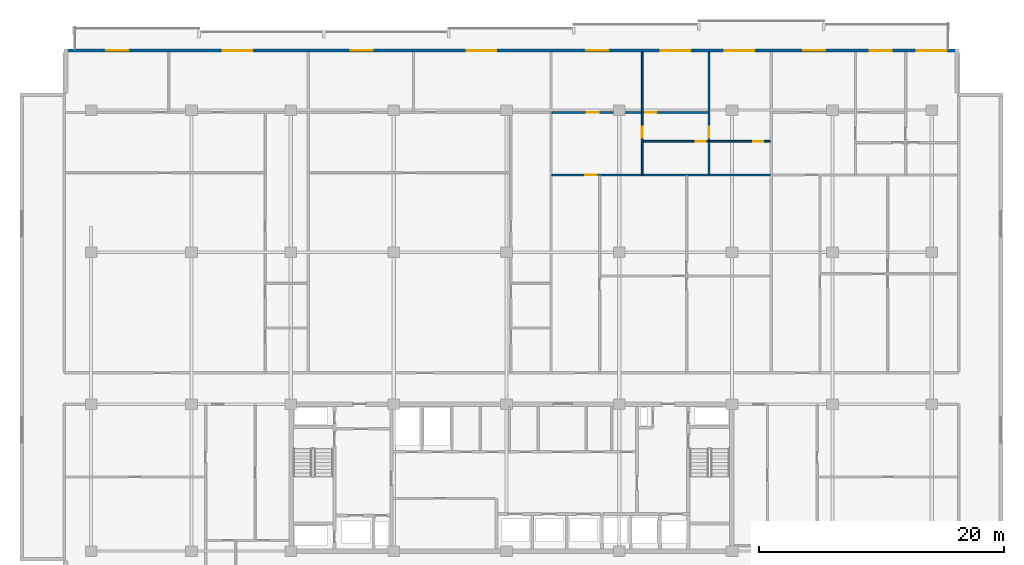
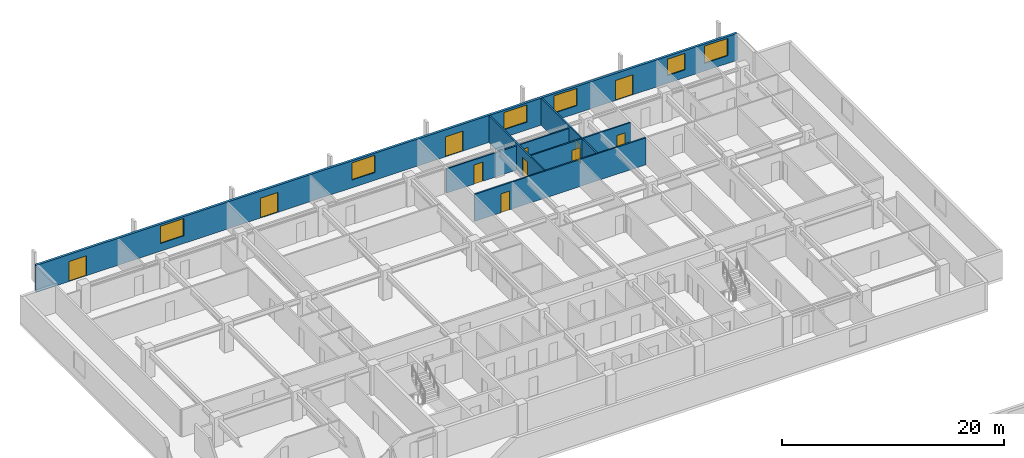
# One storey, part 14 of 21: 11 doors, 7 walls, 6 windows, 17 openings.
"""IFC4 building model written with IfcOpenShell, lengths in metres."""

import ifcopenshell
import ifcopenshell.guid

model = None  # the IFC model being written
_history = None  # IfcOwnerHistory: only IFC2X3 demands one
_inside = {}  # id of a spatial element -> (the spatial element, [elements in it])
_under = {}  # id of a project, library or spatial element -> (it, [spatial elements below it])
_declared = {}  # id of a project -> (the project, [libraries it declares])
_typed = {}  # id of a type object -> (the type object, [elements of that type])
_made_of = {}  # id of a material, layer set ... -> (it, [elements and type objects made of it])


def new_model(schema):
    """Start an empty IFC model of exactly this schema.

    Asked for "IFC4X3", IfcOpenShell would pick the latest addendum, in which some entities
    have other attributes; the version numbers below select the first issue.
    IFC2X3 requires an IfcOwnerHistory on every rooted entity: one is made here for all.
    """
    global model, _history
    if schema == "IFC4X3":
        model = ifcopenshell.file(schema_version=(4, 3, 0, 0))
    else:
        model = ifcopenshell.file(schema=schema)
    _inside.clear()
    _under.clear()
    _declared.clear()
    _typed.clear()
    _made_of.clear()
    _history = None
    if model.schema == "IFC2X3":
        org = make("IfcOrganization", Name="unknown")
        user = make(
            "IfcPersonAndOrganization",
            ThePerson=make("IfcPerson", FamilyName="unknown"),
            TheOrganization=org,
        )
        app = make(
            "IfcApplication",
            ApplicationDeveloper=org,
            Version="unknown",
            ApplicationFullName="unknown",
            ApplicationIdentifier="unknown",
        )
        _history = make(
            "IfcOwnerHistory",
            OwningUser=user,
            OwningApplication=app,
            ChangeAction="ADDED",
            CreationDate=0,
        )
    return model


def make(cls, **values):
    """One entity of the class cls with the attributes given. An attribute that is None is left unset."""
    return model.create_entity(
        cls, **{name: value for name, value in values.items() if value is not None}
    )


def rooted(cls, **values):
    """An entity with a GlobalId (a new one), such as an element, a storey or a relation."""
    return make(cls, GlobalId=ifcopenshell.guid.new(), OwnerHistory=_history, **values)


def si_unit(unit_type, name, prefix=None):
    """IfcSIUnit, for example si_unit("LENGTHUNIT", "METRE", prefix="MILLI")."""
    return make("IfcSIUnit", UnitType=unit_type, Prefix=prefix, Name=name)


def assignment(units):
    """IfcUnitAssignment: the units of a project."""
    return None if units is None else make("IfcUnitAssignment", Units=units)


def point(xyz):
    """IfcCartesianPoint."""
    return None if xyz is None else make("IfcCartesianPoint", Coordinates=xyz)


def direction(xyz):
    """IfcDirection."""
    return None if xyz is None else make("IfcDirection", DirectionRatios=xyz)


def frame(location, z_axis=None, x_axis=None):
    """IfcAxis2Placement3D, a coordinate frame: its origin and axes. An axis left out is left unset."""
    return make(
        "IfcAxis2Placement3D",
        Location=point(location),
        Axis=direction(z_axis),
        RefDirection=direction(x_axis),
    )


def frame_2d(location, x_axis=None):
    """IfcAxis2Placement2D, a coordinate frame in the plane: its origin and x axis."""
    return make(
        "IfcAxis2Placement2D", Location=point(location), RefDirection=direction(x_axis)
    )


def origin():
    """The frame at (0, 0, 0) with its axes left unset."""
    return frame((0.0, 0.0, 0.0))


def place(relative_to, where):
    """IfcLocalPlacement: puts the frame where relative to a parent placement (None: the world)."""
    return make(
        "IfcLocalPlacement", PlacementRelTo=relative_to, RelativePlacement=where
    )


def context(
    kind, dimensions, precision=None, world=None, true_north=None, identifier=None
):
    """IfcGeometricRepresentationContext, for example the 3D "Model" context."""
    return make(
        "IfcGeometricRepresentationContext",
        ContextIdentifier=identifier,
        ContextType=kind,
        CoordinateSpaceDimension=dimensions,
        Precision=precision,
        WorldCoordinateSystem=world,
        TrueNorth=true_north,
    )


def subcontext(parent, identifier, kind, view, scale=None):
    """IfcGeometricRepresentationSubContext, for example "Body" below "Model"."""
    return make(
        "IfcGeometricRepresentationSubContext",
        ContextIdentifier=identifier,
        ContextType=kind,
        ParentContext=parent,
        TargetScale=scale,
        TargetView=view,
    )


def project(units=None, contexts=None):
    """IfcProject with its units and contexts."""
    return rooted(
        "IfcProject",
        Name="project",
        RepresentationContexts=contexts,
        UnitsInContext=assignment(units),
    )


def spatial(cls, under=None, at=None, **own):
    """A site, building, storey or space (cls), placed at a placement, below another one or the project."""
    s = rooted(cls, ObjectPlacement=at, **own)
    if under is not None:
        _under.setdefault(under.id(), (under, []))[1].append(s)
    return s


def profile(cls, at=None, kind="AREA", **sizes):
    """A parametric profile (cls). Its sizes go by their IFC names, for example OverallWidth=200.0."""
    return make(cls, ProfileType=kind, Position=at, **sizes)


def rectangle(**sizes):
    """IfcRectangleProfileDef."""
    return profile("IfcRectangleProfileDef", **sizes)


def extrude(swept, where, along, depth):
    """IfcExtrudedAreaSolid: the profile swept, set in the frame where, extruded along a direction by depth."""
    return make(
        "IfcExtrudedAreaSolid",
        SweptArea=swept,
        Position=where,
        ExtrudedDirection=direction(along),
        Depth=depth,
    )


def shape(context_of_items, identifier, shape_type, items):
    """IfcShapeRepresentation: the items that make up one representation, for example the "Body"."""
    return make(
        "IfcShapeRepresentation",
        ContextOfItems=context_of_items,
        RepresentationIdentifier=identifier,
        RepresentationType=shape_type,
        Items=items,
    )


def material(Name=None, Category=None):
    """IfcMaterial."""
    return make("IfcMaterial", Name=Name, Category=Category)


def layer(
    of_material, thickness, ventilated=None, Name=None, Category=None, Priority=None
):
    """IfcMaterialLayer: one layer of a wall or slab, of a material (None: an air gap)."""
    return make(
        "IfcMaterialLayer",
        Material=of_material,
        LayerThickness=thickness,
        IsVentilated=ventilated,
        Name=Name,
        Category=Category,
        Priority=Priority,
    )


def layer_set(layers, Name=None):
    """IfcMaterialLayerSet."""
    return make("IfcMaterialLayerSet", MaterialLayers=layers, LayerSetName=Name)


def made_of(thing, what):
    """Note that an element or type object is made of a material, layer set ...; save() writes the relation."""
    if what is not None:
        _made_of.setdefault(what.id(), (what, []))[1].append(thing)
    return thing


def type_object(cls, material=None, **own):
    """A type object (cls), such as IfcWallType, which elements share."""
    return made_of(rooted(cls, **own), material)


def element(
    cls,
    number,
    at=None,
    inside=None,
    cuts=None,
    type_object=None,
    material=None,
    context=None,
    identifier="Body",
    shape_type=None,
    held_by="IfcProductDefinitionShape",
    body=None,
    shapes=None,
    **own,
):
    """One element of the class cls, such as IfcWall. Its Tag is "e" and its number.

    at: its placement. inside: the storey or other place that contains it. cuts: it is an
    opening in that element (IfcRelVoidsElement). A single representation is given by context,
    identifier, shape_type and body (its items); several are given by shapes. held_by: the class
    of the entity that holds the representations. save() writes the other relations.
    """
    e = rooted(cls, Tag="e%d" % number, ObjectPlacement=at, **own)
    if body is not None:
        shapes = [shape(context, identifier, shape_type, body)]
    if shapes is not None:
        e.Representation = make(held_by, Representations=shapes)
    if inside is not None:
        _inside.setdefault(inside.id(), (inside, []))[1].append(e)
    if cuts is not None:
        rooted(
            "IfcRelVoidsElement", RelatingBuildingElement=cuts, RelatedOpeningElement=e
        )
    if type_object is not None:
        _typed.setdefault(type_object.id(), (type_object, []))[1].append(e)
    return made_of(e, material)


def fill(opening, filler):
    """IfcRelFillsElement: the door or window that sits in an opening."""
    return rooted(
        "IfcRelFillsElement",
        RelatingOpeningElement=opening,
        RelatedBuildingElement=filler,
    )


def aggregate(whole, parts):
    """IfcRelAggregates: a whole, such as a stair, and the parts it consists of."""
    return rooted("IfcRelAggregates", RelatingObject=whole, RelatedObjects=parts)


def save(model, path):
    """Write the relations noted so far, then the file.

    IfcRelAggregates (storeys below a building ...), IfcRelContainedInSpatialStructure (elements
    in a storey), IfcRelDefinesByType, IfcRelAssociatesMaterial and IfcRelDeclares: one each for
    every whole, place, type object, material and project.
    """
    for whole, parts in _under.values():
        aggregate(whole, parts)
    for where, things in _inside.values():
        rooted(
            "IfcRelContainedInSpatialStructure",
            RelatedElements=things,
            RelatingStructure=where,
        )
    for kind, things in _typed.values():
        rooted("IfcRelDefinesByType", RelatedObjects=things, RelatingType=kind)
    for what, things in _made_of.values():
        rooted("IfcRelAssociatesMaterial", RelatedObjects=things, RelatingMaterial=what)
    for by, libraries in _declared.values():
        rooted("IfcRelDeclares", RelatingContext=by, RelatedDefinitions=libraries)
    model.write(path)


model = new_model("IFC4")

# Units and contexts
model_context = context("Model", 3, precision=1e-05, world=origin(), true_north=direction((0.0, 1.0)))
body_context = subcontext(model_context, "Body", "Model", "MODEL_VIEW")
ifc_project = project(units=[si_unit("LENGTHUNIT", "METRE"), si_unit("AREAUNIT", "SQUARE_METRE"), si_unit("VOLUMEUNIT", "CUBIC_METRE"), si_unit("PLANEANGLEUNIT", "RADIAN"), si_unit("MASSUNIT", "GRAM", prefix="KILO")], contexts=[model_context])

# Site, building, storey
site_placement = place(None, origin())
site = spatial("IfcSite", under=ifc_project, at=site_placement, CompositionType="ELEMENT")
building_placement = place(site_placement, origin())
building = spatial("IfcBuilding", under=site, at=building_placement, Name="Korimba Cascade Residences", CompositionType="ELEMENT")
storey_placement = place(building_placement, frame((0.0, 0.0, 119.800048828125)))
storey = spatial("IfcBuildingStorey", under=building, at=storey_placement, Name="L34", CompositionType="ELEMENT", Elevation=119.800048828125)

# Wall, openings, doors, windows
ifc_material_1 = material(Name="Precast concrete C40/50", Category="concrete")
ifc_layer_1 = layer(ifc_material_1, 0.25)
ifc_layer_set_1 = layer_set([ifc_layer_1], Name="Precast concrete C40/50")
wall_type_1 = type_object("IfcWallType", Name="EW-LOG-250", PredefinedType="STANDARD", material=ifc_layer_set_1)
wall_1_placement = place(storey_placement, frame((130.60009765625, 96.050048828125, 0.0), z_axis=(0.0, 0.0, 1.0), x_axis=(-1.0, 0.0, 0.0)))
wall_1 = element("IfcWall", 1, at=wall_1_placement, inside=storey, type_object=wall_type_1, Name="L34 T1 Perimeter Stone Wall E06", PredefinedType="STANDARD", context=body_context, shape_type="SweptSolid", body=[
    extrude(rectangle(XDim=73.0, YDim=0.25, at=frame_2d((36.5, 0.0))), origin(), (0.0, 0.0, 1.0), 2.969970703125),
])
opening_1_placement = place(wall_1_placement, frame((67.7724609375, 0.0, 0.0)))
opening_1 = element("IfcOpeningElement", 2, at=opening_1_placement, cuts=wall_1, Name="Opening D-LG1", PredefinedType="OPENING", context=body_context, shape_type="SweptSolid", body=[
    extrude(rectangle(XDim=1.800048828125, YDim=2.199951171875, at=frame_2d((0.89990234375, 1.10009765625))), frame((0.0, 0.135009765625, 0.0), z_axis=(0.0, -1.0, 0.0), x_axis=(1.0, 0.0, 0.0)), (0.0, 0.0, 1.0), 0.27001953125),
])
opening_2_placement = place(wall_1_placement, frame((57.63720703125, 0.0, 0.85009765625)))
opening_2 = element("IfcOpeningElement", 3, at=opening_2_placement, cuts=wall_1, Name="Opening W-01", PredefinedType="OPENING", context=body_context, shape_type="SweptSolid", body=[
    extrude(rectangle(XDim=2.39990234375, YDim=1.89990234375, at=frame_2d((1.199951171875, 0.949951171875))), frame((0.0, 0.135009765625, 0.0), z_axis=(0.0, -1.0, 0.0), x_axis=(1.0, 0.0, 0.0)), (0.0, 0.0, 1.0), 0.27001953125),
])
opening_3_placement = place(wall_1_placement, frame((47.826904296875, 0.0, 0.0)))
opening_3 = element("IfcOpeningElement", 4, at=opening_3_placement, cuts=wall_1, Name="Opening D-LG1", PredefinedType="OPENING", context=body_context, shape_type="SweptSolid", body=[
    extrude(rectangle(XDim=1.800048828125, YDim=2.199951171875, at=frame_2d((0.89990234375, 1.10009765625))), frame((0.0, 0.135009765625, 0.0), z_axis=(0.0, -1.0, 0.0), x_axis=(1.0, 0.0, 0.0)), (0.0, 0.0, 1.0), 0.27001953125),
])
opening_4_placement = place(wall_1_placement, frame((37.736083984375, 0.0, 0.85009765625)))
opening_4 = element("IfcOpeningElement", 5, at=opening_4_placement, cuts=wall_1, Name="Opening W-01", PredefinedType="OPENING", context=body_context, shape_type="SweptSolid", body=[
    extrude(rectangle(XDim=2.39990234375, YDim=1.89990234375, at=frame_2d((1.199951171875, 0.949951171875))), frame((0.0, 0.135009765625, 0.0), z_axis=(0.0, -1.0, 0.0), x_axis=(1.0, 0.0, 0.0)), (0.0, 0.0, 1.0), 0.27001953125),
])
opening_5_placement = place(wall_1_placement, frame((21.89990234375, 0.0, 0.85009765625)))
opening_5 = element("IfcOpeningElement", 6, at=opening_5_placement, cuts=wall_1, Name="Opening W-01", PredefinedType="OPENING", context=body_context, shape_type="SweptSolid", body=[
    extrude(rectangle(XDim=2.39990234375, YDim=1.89990234375, at=frame_2d((1.199951171875, 0.949951171875))), frame((0.0, 0.135009765625, 0.0), z_axis=(0.0, -1.0, 0.0), x_axis=(1.0, 0.0, 0.0)), (0.0, 0.0, 1.0), 0.27001953125),
])
opening_6_placement = place(wall_1_placement, frame((28.584228515625, 0.0, 0.0)))
opening_6 = element("IfcOpeningElement", 7, at=opening_6_placement, cuts=wall_1, Name="Opening D-LG1", PredefinedType="OPENING", context=body_context, shape_type="SweptSolid", body=[
    extrude(rectangle(XDim=1.800048828125, YDim=2.199951171875, at=frame_2d((0.89990234375, 1.10009765625))), frame((0.0, 0.135009765625, 0.0), z_axis=(0.0, -1.0, 0.0), x_axis=(1.0, 0.0, 0.0)), (0.0, 0.0, 1.0), 0.27001953125),
])
opening_7_placement = place(wall_1_placement, frame((16.689453125, 0.0, 0.85009765625)))
opening_7 = element("IfcOpeningElement", 8, at=opening_7_placement, cuts=wall_1, Name="Opening W-01", PredefinedType="OPENING", context=body_context, shape_type="SweptSolid", body=[
    extrude(rectangle(XDim=2.39990234375, YDim=1.89990234375, at=frame_2d((1.199951171875, 0.949951171875))), frame((0.0, 0.135009765625, 0.0), z_axis=(0.0, -1.0, 0.0), x_axis=(1.0, 0.0, 0.0)), (0.0, 0.0, 1.0), 0.27001953125),
])
opening_8_placement = place(wall_1_placement, frame((5.47509765625, 0.0, 0.85009765625)))
opening_8 = element("IfcOpeningElement", 9, at=opening_8_placement, cuts=wall_1, Name="Opening W-02", PredefinedType="OPENING", context=body_context, shape_type="SweptSolid", body=[
    extrude(rectangle(XDim=1.800048828125, YDim=1.800048828125, at=frame_2d((0.89990234375, 0.89990234375))), frame((0.0, 0.135009765625, 0.0), z_axis=(0.0, -1.0, 0.0), x_axis=(1.0, 0.0, 0.0)), (0.0, 0.0, 1.0), 0.27001953125),
])
opening_9_placement = place(wall_1_placement, frame((10.889404296875, 0.0, 0.0)))
opening_9 = element("IfcOpeningElement", 10, at=opening_9_placement, cuts=wall_1, Name="Opening D-LG1", PredefinedType="OPENING", context=body_context, shape_type="SweptSolid", body=[
    extrude(rectangle(XDim=1.800048828125, YDim=2.199951171875, at=frame_2d((0.89990234375, 1.10009765625))), frame((0.0, 0.135009765625, 0.0), z_axis=(0.0, -1.0, 0.0), x_axis=(1.0, 0.0, 0.0)), (0.0, 0.0, 1.0), 0.27001953125),
])
opening_10_placement = place(wall_1_placement, frame((1.02490234375, 0.0, 0.85009765625)))
opening_10 = element("IfcOpeningElement", 11, at=opening_10_placement, cuts=wall_1, Name="Opening W-01", PredefinedType="OPENING", context=body_context, shape_type="SweptSolid", body=[
    extrude(rectangle(XDim=2.39990234375, YDim=1.89990234375, at=frame_2d((1.199951171875, 0.949951171875))), frame((0.0, 0.135009765625, 0.0), z_axis=(0.0, -1.0, 0.0), x_axis=(1.0, 0.0, 0.0)), (0.0, 0.0, 1.0), 0.27001953125),
])
ifc_material_2 = material(Name="Glazed Aluminium Loggia Sliding Door", Category="aluminium")
door_type_1 = type_object("IfcDoorType", Name="DR-EXT-LOG", OperationType="NOTDEFINED", PredefinedType="DOOR", material=ifc_material_2)
door_1_placement = place(opening_1_placement, origin())
door_1 = element("IfcDoor", 12, at=door_1_placement, inside=storey, type_object=door_type_1, Name="L34 T1 Loggia Sliding Door 3", OperationType="SLIDING_TO_LEFT", OverallHeight=2.199951171875, OverallWidth=1.800048828125, PredefinedType="DOOR", context=body_context, shape_type="SweptSolid", body=[
    extrude(rectangle(XDim=1.800048828125, YDim=2.199951171875, at=frame_2d((0.89990234375, 1.10009765625))), frame((0.0, 0.02490234375, 0.0), z_axis=(0.0, -1.0, 0.0), x_axis=(1.0, 0.0, 0.0)), (0.0, 0.0, 1.0), 0.050048828125),
])
fill(opening_1, door_1)
door_2_placement = place(opening_3_placement, origin())
door_2 = element("IfcDoor", 13, at=door_2_placement, inside=storey, type_object=door_type_1, Name="L34 T1 Loggia Sliding Door 5", OperationType="SLIDING_TO_LEFT", OverallHeight=2.199951171875, OverallWidth=1.800048828125, PredefinedType="DOOR", context=body_context, shape_type="SweptSolid", body=[
    extrude(rectangle(XDim=1.800048828125, YDim=2.199951171875, at=frame_2d((0.89990234375, 1.10009765625))), frame((0.0, 0.02490234375, 0.0), z_axis=(0.0, -1.0, 0.0), x_axis=(1.0, 0.0, 0.0)), (0.0, 0.0, 1.0), 0.050048828125),
])
fill(opening_3, door_2)
door_3_placement = place(opening_6_placement, origin())
door_3 = element("IfcDoor", 14, at=door_3_placement, inside=storey, type_object=door_type_1, Name="L34 T1 Loggia Sliding Door 8", OperationType="SLIDING_TO_LEFT", OverallHeight=2.199951171875, OverallWidth=1.800048828125, PredefinedType="DOOR", context=body_context, shape_type="SweptSolid", body=[
    extrude(rectangle(XDim=1.800048828125, YDim=2.199951171875, at=frame_2d((0.89990234375, 1.10009765625))), frame((0.0, 0.02490234375, 0.0), z_axis=(0.0, -1.0, 0.0), x_axis=(1.0, 0.0, 0.0)), (0.0, 0.0, 1.0), 0.050048828125),
])
fill(opening_6, door_3)
door_4_placement = place(opening_9_placement, origin())
door_4 = element("IfcDoor", 15, at=door_4_placement, inside=storey, type_object=door_type_1, Name="L34 T1 Loggia Sliding Door 11", OperationType="SLIDING_TO_LEFT", OverallHeight=2.199951171875, OverallWidth=1.800048828125, PredefinedType="DOOR", context=body_context, shape_type="SweptSolid", body=[
    extrude(rectangle(XDim=1.800048828125, YDim=2.199951171875, at=frame_2d((0.89990234375, 1.10009765625))), frame((0.0, 0.02490234375, 0.0), z_axis=(0.0, -1.0, 0.0), x_axis=(1.0, 0.0, 0.0)), (0.0, 0.0, 1.0), 0.050048828125),
])
fill(opening_9, door_4)
ifc_material_3 = material(Name="Double-Glazed Aluminium Window", Category="aluminium")
window_type_1 = type_object("IfcWindowType", Name="WIN-BED-1800", PartitioningType="SINGLE_PANEL", PredefinedType="WINDOW", material=ifc_material_3)
window_1_placement = place(opening_8_placement, origin())
window_1 = element("IfcWindow", 16, at=window_1_placement, inside=storey, type_object=window_type_1, Name="L34 T1 North Facade Window 10", OverallHeight=1.800048828125, OverallWidth=1.800048828125, PartitioningType="SINGLE_PANEL", PredefinedType="WINDOW", context=body_context, shape_type="SweptSolid", body=[
    extrude(rectangle(XDim=1.800048828125, YDim=1.800048828125, at=frame_2d((0.89990234375, 0.89990234375))), frame((0.0, 0.030029296875, 0.0), z_axis=(0.0, -1.0, 0.0), x_axis=(1.0, 0.0, 0.0)), (0.0, 0.0, 1.0), 0.06005859375),
])
fill(opening_8, window_1)
window_type_2 = type_object("IfcWindowType", Name="WIN-RES-2400", PartitioningType="DOUBLE_PANEL_VERTICAL", PredefinedType="WINDOW", material=ifc_material_3)
window_2_placement = place(opening_2_placement, origin())
window_2 = element("IfcWindow", 17, at=window_2_placement, inside=storey, type_object=window_type_2, Name="L34 T1 North Facade Window 4", OverallHeight=1.89990234375, OverallWidth=2.39990234375, PartitioningType="DOUBLE_PANEL_VERTICAL", PredefinedType="WINDOW", context=body_context, shape_type="SweptSolid", body=[
    extrude(rectangle(XDim=2.39990234375, YDim=1.89990234375, at=frame_2d((1.199951171875, 0.949951171875))), frame((0.0, 0.030029296875, 0.0), z_axis=(0.0, -1.0, 0.0), x_axis=(1.0, 0.0, 0.0)), (0.0, 0.0, 1.0), 0.06005859375),
])
fill(opening_2, window_2)
window_3_placement = place(opening_4_placement, origin())
window_3 = element("IfcWindow", 18, at=window_3_placement, inside=storey, type_object=window_type_2, Name="L34 T1 North Facade Window 6", OverallHeight=1.89990234375, OverallWidth=2.39990234375, PartitioningType="DOUBLE_PANEL_VERTICAL", PredefinedType="WINDOW", context=body_context, shape_type="SweptSolid", body=[
    extrude(rectangle(XDim=2.39990234375, YDim=1.89990234375, at=frame_2d((1.199951171875, 0.949951171875))), frame((0.0, 0.030029296875, 0.0), z_axis=(0.0, -1.0, 0.0), x_axis=(1.0, 0.0, 0.0)), (0.0, 0.0, 1.0), 0.06005859375),
])
fill(opening_4, window_3)
window_4_placement = place(opening_5_placement, origin())
window_4 = element("IfcWindow", 19, at=window_4_placement, inside=storey, type_object=window_type_2, Name="L34 T1 North Facade Window 7", OverallHeight=1.89990234375, OverallWidth=2.39990234375, PartitioningType="DOUBLE_PANEL_VERTICAL", PredefinedType="WINDOW", context=body_context, shape_type="SweptSolid", body=[
    extrude(rectangle(XDim=2.39990234375, YDim=1.89990234375, at=frame_2d((1.199951171875, 0.949951171875))), frame((0.0, 0.030029296875, 0.0), z_axis=(0.0, -1.0, 0.0), x_axis=(1.0, 0.0, 0.0)), (0.0, 0.0, 1.0), 0.06005859375),
])
fill(opening_5, window_4)
window_5_placement = place(opening_7_placement, origin())
window_5 = element("IfcWindow", 20, at=window_5_placement, inside=storey, type_object=window_type_2, Name="L34 T1 North Facade Window 9", OverallHeight=1.89990234375, OverallWidth=2.39990234375, PartitioningType="DOUBLE_PANEL_VERTICAL", PredefinedType="WINDOW", context=body_context, shape_type="SweptSolid", body=[
    extrude(rectangle(XDim=2.39990234375, YDim=1.89990234375, at=frame_2d((1.199951171875, 0.949951171875))), frame((0.0, 0.030029296875, 0.0), z_axis=(0.0, -1.0, 0.0), x_axis=(1.0, 0.0, 0.0)), (0.0, 0.0, 1.0), 0.06005859375),
])
fill(opening_7, window_5)
window_6_placement = place(opening_10_placement, origin())
window_6 = element("IfcWindow", 21, at=window_6_placement, inside=storey, type_object=window_type_2, Name="L34 T1 North Facade Window 12", OverallHeight=1.89990234375, OverallWidth=2.39990234375, PartitioningType="DOUBLE_PANEL_VERTICAL", PredefinedType="WINDOW", context=body_context, shape_type="SweptSolid", body=[
    extrude(rectangle(XDim=2.39990234375, YDim=1.89990234375, at=frame_2d((1.199951171875, 0.949951171875))), frame((0.0, 0.030029296875, 0.0), z_axis=(0.0, -1.0, 0.0), x_axis=(1.0, 0.0, 0.0)), (0.0, 0.0, 1.0), 0.06005859375),
])
fill(opening_10, window_6)

# Wall, opening, door
ifc_material_4 = material(Name="Insulated Acoustic Stud Partition", Category="gypsum")
ifc_layer_2 = layer(ifc_material_4, 0.14990234375)
ifc_layer_set_2 = layer_set([ifc_layer_2], Name="Insulated Acoustic Stud Partition")
wall_type_2 = type_object("IfcWallType", Name="WAL-PART-150", PredefinedType="PARTITIONING", material=ifc_layer_set_2)
wall_2_placement = place(storey_placement, frame((104.780029296875, 85.93994140625, 0.0), z_axis=(0.0, 0.0, 1.0), x_axis=(0.0, 1.0, 0.0)))
wall_2 = element("IfcWall", 22, at=wall_2_placement, inside=storey, type_object=wall_type_2, Name="L34 Partition Wall WAL-L34-T1-U03-V1", PredefinedType="PARTITIONING", context=body_context, shape_type="SweptSolid", body=[
    extrude(rectangle(XDim=9.9599609375, YDim=0.14990234375, at=frame_2d((4.97998046875, 0.0))), origin(), (0.0, 0.0, 1.0), 2.969970703125),
])
opening_11_placement = place(wall_2_placement, frame((2.989990234375, 0.0, 0.0)))
opening_11 = element("IfcOpeningElement", 23, at=opening_11_placement, cuts=wall_2, Name="Opening D-IN1", PredefinedType="OPENING", context=body_context, shape_type="SweptSolid", body=[
    extrude(rectangle(XDim=0.919921875, YDim=2.080078125, at=frame_2d((0.4599609375, 1.0400390625))), frame((0.0, 0.0849609375, 0.0), z_axis=(0.0, -1.0, 0.0), x_axis=(1.0, 0.0, 0.0)), (0.0, 0.0, 1.0), 0.169921875),
])
ifc_material_5 = material(Name="Acoustic Timber Living Door", Category="wood")
door_type_2 = type_object("IfcDoorType", Name="DR-INT-920", OperationType="NOTDEFINED", PredefinedType="DOOR", material=ifc_material_5)
door_5_placement = place(opening_11_placement, origin())
door_5 = element("IfcDoor", 24, at=door_5_placement, inside=storey, type_object=door_type_2, Name="L34-T1-U03 Hallway Door", OperationType="SINGLE_SWING_LEFT", OverallHeight=2.080078125, OverallWidth=0.919921875, PredefinedType="DOOR", context=body_context, shape_type="SweptSolid", body=[
    extrude(rectangle(XDim=0.919921875, YDim=2.080078125, at=frame_2d((0.4599609375, 1.0400390625))), frame((0.0, 0.02490234375, 0.0), z_axis=(0.0, -1.0, 0.0), x_axis=(1.0, 0.0, 0.0)), (0.0, 0.0, 1.0), 0.050048828125),
])
fill(opening_11, door_5)

# Wall
wall_3_placement = place(storey_placement, frame((110.219970703125, 85.93994140625, 0.0), z_axis=(0.0, 0.0, 1.0), x_axis=(0.0, 1.0, 0.0)))
element("IfcWall", 25, at=wall_3_placement, inside=storey, type_object=wall_type_2, Name="L34 Partition Wall WAL-L34-T1-U03-VBATH", PredefinedType="PARTITIONING", context=body_context, shape_type="SweptSolid", body=[
    extrude(rectangle(XDim=2.68994140625, YDim=0.14990234375, at=frame_2d((1.344970703125, 0.0))), origin(), (0.0, 0.0, 1.0), 2.969970703125),
])

# Wall, opening, door
wall_4_placement = place(storey_placement, frame((110.219970703125, 88.669921875, 0.0), z_axis=(0.0, 0.0, 1.0), x_axis=(0.0, 1.0, 0.0)))
wall_4 = element("IfcWall", 26, at=wall_4_placement, inside=storey, type_object=wall_type_2, Name="L34 Partition Wall WAL-L34-T1-U03-V2FULL", PredefinedType="PARTITIONING", context=body_context, shape_type="SweptSolid", body=[
    extrude(rectangle(XDim=7.22998046875, YDim=0.14990234375, at=frame_2d((3.614990234375, 0.0))), origin(), (0.0, 0.0, 1.0), 2.969970703125),
])
opening_12_placement = place(wall_4_placement, frame((0.260009765625, 0.0, 0.0)))
opening_12 = element("IfcOpeningElement", 27, at=opening_12_placement, cuts=wall_4, Name="Opening D-IN1", PredefinedType="OPENING", context=body_context, shape_type="SweptSolid", body=[
    extrude(rectangle(XDim=0.919921875, YDim=2.080078125, at=frame_2d((0.4599609375, 1.0400390625))), frame((0.0, 0.0849609375, 0.0), z_axis=(0.0, -1.0, 0.0), x_axis=(1.0, 0.0, 0.0)), (0.0, 0.0, 1.0), 0.169921875),
])
door_6_placement = place(opening_12_placement, origin())
door_6 = element("IfcDoor", 28, at=door_6_placement, inside=storey, type_object=door_type_2, Name="L34-T1-U03 Master Bedroom Door", OperationType="SINGLE_SWING_RIGHT", OverallHeight=2.080078125, OverallWidth=0.919921875, PredefinedType="DOOR", context=body_context, shape_type="SweptSolid", body=[
    extrude(rectangle(XDim=0.919921875, YDim=2.080078125, at=frame_2d((0.4599609375, 1.0400390625))), frame((0.0, 0.02490234375, 0.0), z_axis=(0.0, -1.0, 0.0), x_axis=(1.0, 0.0, 0.0)), (0.0, 0.0, 1.0), 0.050048828125),
])
fill(opening_12, door_6)

# Wall, openings, doors
wall_5_placement = place(storey_placement, frame((104.820068359375, 88.64990234375, 0.0), z_axis=(0.0, 0.0, 1.0), x_axis=(1.0, 0.0, 0.0)))
wall_5 = element("IfcWall", 29, at=wall_5_placement, inside=storey, type_object=wall_type_2, Name="L34 Partition Wall WAL-L34-T1-U03-HWALL", PredefinedType="PARTITIONING", context=body_context, shape_type="SweptSolid", body=[
    extrude(rectangle(XDim=10.421142578125, YDim=0.14990234375, at=frame_2d((5.21044921875, 0.0))), origin(), (0.0, 0.0, 1.0), 2.969970703125),
])
opening_13_placement = place(wall_5_placement, frame((4.31005859375, 0.0, 0.0)))
opening_13 = element("IfcOpeningElement", 30, at=opening_13_placement, cuts=wall_5, Name="Opening D-BT1", PredefinedType="OPENING", context=body_context, shape_type="SweptSolid", body=[
    extrude(rectangle(XDim=0.840087890625, YDim=2.0400390625, at=frame_2d((0.419921875, 1.02001953125))), frame((0.0, 0.0849609375, 0.0), z_axis=(0.0, -1.0, 0.0), x_axis=(1.0, 0.0, 0.0)), (0.0, 0.0, 1.0), 0.169921875),
])
opening_14_placement = place(wall_5_placement, frame((8.999755859375, 0.0, 0.0)))
opening_14 = element("IfcOpeningElement", 31, at=opening_14_placement, cuts=wall_5, Name="Opening D-BT1", PredefinedType="OPENING", context=body_context, shape_type="SweptSolid", body=[
    extrude(rectangle(XDim=0.840087890625, YDim=2.0400390625, at=frame_2d((0.419921875, 1.02001953125))), frame((0.0, 0.0849609375, 0.0), z_axis=(0.0, -1.0, 0.0), x_axis=(1.0, 0.0, 0.0)), (0.0, 0.0, 1.0), 0.169921875),
])
ifc_material_6 = material(Name="Moisture-Resistant Bathroom Timber Door", Category="wood")
door_type_3 = type_object("IfcDoorType", Name="DR-INT-850", OperationType="NOTDEFINED", PredefinedType="DOOR", material=ifc_material_6)
door_7_placement = place(opening_13_placement, origin())
door_7 = element("IfcDoor", 32, at=door_7_placement, inside=storey, type_object=door_type_3, Name="L34-T1-U03 Family Bathroom Door", OperationType="SINGLE_SWING_LEFT", OverallHeight=2.0400390625, OverallWidth=0.840087890625, PredefinedType="DOOR", context=body_context, shape_type="SweptSolid", body=[
    extrude(rectangle(XDim=0.840087890625, YDim=2.0400390625, at=frame_2d((0.419921875, 1.02001953125))), frame((0.0, 0.02490234375, 0.0), z_axis=(0.0, -1.0, 0.0), x_axis=(1.0, 0.0, 0.0)), (0.0, 0.0, 1.0), 0.050048828125),
])
fill(opening_13, door_7)
door_8_placement = place(opening_14_placement, origin())
door_8 = element("IfcDoor", 33, at=door_8_placement, inside=storey, type_object=door_type_3, Name="L34-T1-U03 En-Suite Door", OperationType="SINGLE_SWING_RIGHT", OverallHeight=2.0400390625, OverallWidth=0.840087890625, PredefinedType="DOOR", context=body_context, shape_type="SweptSolid", body=[
    extrude(rectangle(XDim=0.840087890625, YDim=2.0400390625, at=frame_2d((0.419921875, 1.02001953125))), frame((0.0, 0.02490234375, 0.0), z_axis=(0.0, -1.0, 0.0), x_axis=(1.0, 0.0, 0.0)), (0.0, 0.0, 1.0), 0.050048828125),
])
fill(opening_14, door_8)

# Wall, opening, door
wall_6_placement = place(storey_placement, frame((97.41162109375, 85.89990234375, 0.0), z_axis=(0.0, 0.0, 1.0), x_axis=(1.0, 0.0, 0.0)))
wall_6 = element("IfcWall", 34, at=wall_6_placement, inside=storey, type_object=wall_type_2, Name="L34 Partition Wall WAL-L34-T1-U03-MW", PredefinedType="PARTITIONING", context=body_context, shape_type="SweptSolid", body=[
    extrude(rectangle(XDim=17.82958984375, YDim=0.14990234375, at=frame_2d((8.914794921875, 0.0))), origin(), (0.0, 0.0, 1.0), 2.969970703125),
])
opening_15_placement = place(wall_6_placement, frame((2.719970703125, 0.0, 0.0)))
opening_15 = element("IfcOpeningElement", 35, at=opening_15_placement, cuts=wall_6, Name="Opening D-IN1", PredefinedType="OPENING", context=body_context, shape_type="SweptSolid", body=[
    extrude(rectangle(XDim=0.919921875, YDim=2.080078125, at=frame_2d((0.4599609375, 1.0400390625))), frame((0.0, 0.0849609375, 0.0), z_axis=(0.0, -1.0, 0.0), x_axis=(1.0, 0.0, 0.0)), (0.0, 0.0, 1.0), 0.169921875),
])
door_9_placement = place(opening_15_placement, origin())
door_9 = element("IfcDoor", 36, at=door_9_placement, inside=storey, type_object=door_type_2, Name="L34-T1-U03 Kitchen Door", OperationType="SINGLE_SWING_LEFT", OverallHeight=2.080078125, OverallWidth=0.919921875, PredefinedType="DOOR", context=body_context, shape_type="SweptSolid", body=[
    extrude(rectangle(XDim=0.919921875, YDim=2.080078125, at=frame_2d((0.4599609375, 1.0400390625))), frame((0.0, 0.02490234375, 0.0), z_axis=(0.0, -1.0, 0.0), x_axis=(1.0, 0.0, 0.0)), (0.0, 0.0, 1.0), 0.050048828125),
])
fill(opening_15, door_9)

# Wall, openings, doors
wall_7_placement = place(storey_placement, frame((97.41162109375, 91.0, 0.0), z_axis=(0.0, 0.0, 1.0), x_axis=(1.0, 0.0, 0.0)))
wall_7 = element("IfcWall", 37, at=wall_7_placement, inside=storey, type_object=wall_type_2, Name="L34 Partition Wall WAL-L34-T1-U03-HZ", PredefinedType="PARTITIONING", context=body_context, shape_type="SweptSolid", body=[
    extrude(rectangle(XDim=12.808349609375, YDim=0.14990234375, at=frame_2d((6.404296875, 0.0))), origin(), (0.0, 0.0, 1.0), 2.663330078125),
])
opening_16_placement = place(wall_7_placement, frame((2.8583984375, 0.0, 0.0)))
opening_16 = element("IfcOpeningElement", 38, at=opening_16_placement, cuts=wall_7, Name="Opening D-IN0", PredefinedType="OPENING", context=body_context, shape_type="SweptSolid", body=[
    extrude(rectangle(XDim=0.93994140625, YDim=2.10009765625, at=frame_2d((0.469970703125, 1.050048828125))), frame((0.0, 0.0849609375, 0.0), z_axis=(0.0, -1.0, 0.0), x_axis=(1.0, 0.0, 0.0)), (0.0, 0.0, 1.0), 0.169921875),
])
opening_17_placement = place(wall_7_placement, frame((7.618408203125, 0.0, 0.0)))
opening_17 = element("IfcOpeningElement", 39, at=opening_17_placement, cuts=wall_7, Name="Opening D-IN2", PredefinedType="OPENING", context=body_context, shape_type="SweptSolid", body=[
    extrude(rectangle(XDim=0.8798828125, YDim=2.06005859375, at=frame_2d((0.43994140625, 1.030029296875))), frame((0.0, 0.0849609375, 0.0), z_axis=(0.0, -1.0, 0.0), x_axis=(1.0, 0.0, 0.0)), (0.0, 0.0, 1.0), 0.169921875),
])
ifc_material_7 = material(Name="Acoustic Timber Bedroom Door", Category="wood")
door_type_4 = type_object("IfcDoorType", Name="DR-INT-880", OperationType="NOTDEFINED", PredefinedType="DOOR", material=ifc_material_7)
door_10_placement = place(opening_17_placement, origin())
door_10 = element("IfcDoor", 40, at=door_10_placement, inside=storey, type_object=door_type_4, Name="L34-T1-U03 Bedroom 2 Door", OperationType="SINGLE_SWING_LEFT", OverallHeight=2.06005859375, OverallWidth=0.8798828125, PredefinedType="DOOR", context=body_context, shape_type="SweptSolid", body=[
    extrude(rectangle(XDim=0.8798828125, YDim=2.06005859375, at=frame_2d((0.43994140625, 1.030029296875))), frame((0.0, 0.02490234375, 0.0), z_axis=(0.0, -1.0, 0.0), x_axis=(1.0, 0.0, 0.0)), (0.0, 0.0, 1.0), 0.050048828125),
])
fill(opening_17, door_10)
ifc_material_8 = material(Name="Acoustic Timber Living Archway Door", Category="wood")
door_type_5 = type_object("IfcDoorType", Name="DR-INT-950", OperationType="NOTDEFINED", PredefinedType="DOOR", material=ifc_material_8)
door_11_placement = place(opening_16_placement, origin())
door_11 = element("IfcDoor", 41, at=door_11_placement, inside=storey, type_object=door_type_5, Name="L34-T1-U03 Living Room Door", OperationType="SINGLE_SWING_RIGHT", OverallHeight=2.10009765625, OverallWidth=0.93994140625, PredefinedType="DOOR", context=body_context, shape_type="SweptSolid", body=[
    extrude(rectangle(XDim=0.93994140625, YDim=2.10009765625, at=frame_2d((0.469970703125, 1.050048828125))), frame((0.0, 0.02490234375, 0.0), z_axis=(0.0, -1.0, 0.0), x_axis=(1.0, 0.0, 0.0)), (0.0, 0.0, 1.0), 0.050048828125),
])
fill(opening_16, door_11)

save(model, "model.ifc")
